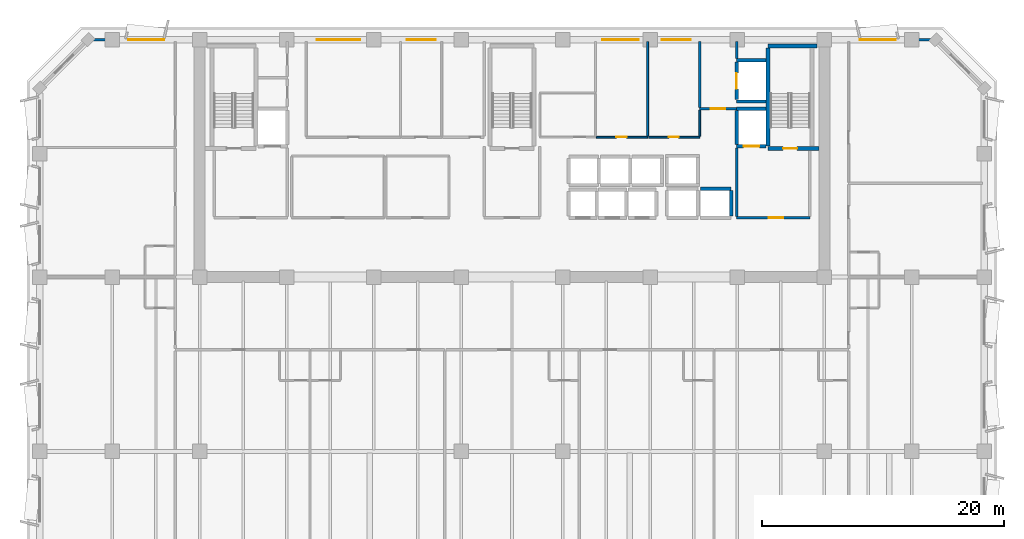
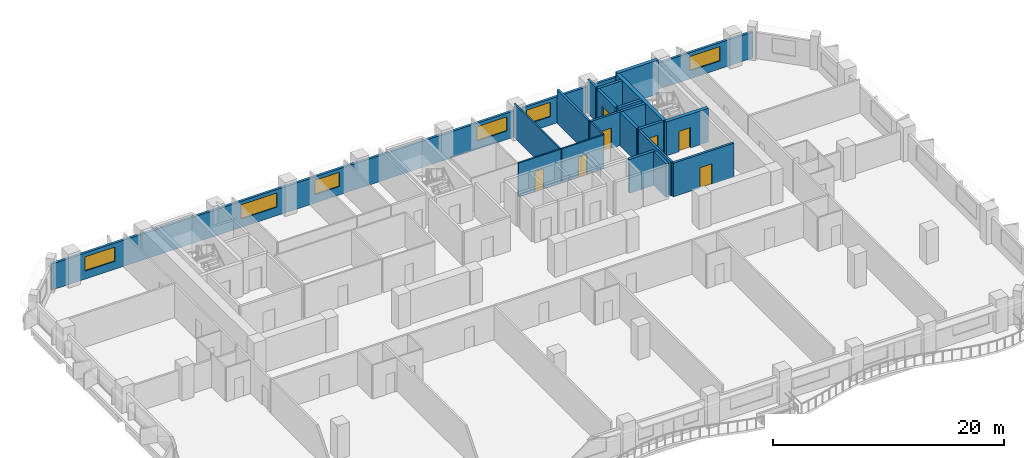
# One storey, part 7 of 14: 21 walls, 7 doors, 6 windows, 13 openings.
"""IFC4 building model written with IfcOpenShell, lengths in metres."""

from ifc_helpers import new_model, si_unit, direction, frame, frame_2d, origin, place, context, subcontext, project, spatial, rectangle, extrude, material, layer, layer_set, type_object, element, fill, save


model = new_model("IFC4")

# Units and contexts
model_context = context("Model", 3, precision=1e-05, world=origin(), true_north=direction((0.0, 1.0)))
body_context = subcontext(model_context, "Body", "Model", "MODEL_VIEW")
ifc_project = project(units=[si_unit("LENGTHUNIT", "METRE"), si_unit("AREAUNIT", "SQUARE_METRE"), si_unit("VOLUMEUNIT", "CUBIC_METRE"), si_unit("PLANEANGLEUNIT", "RADIAN"), si_unit("MASSUNIT", "GRAM", prefix="KILO")], contexts=[model_context])

# Site, building, storey
site_placement = place(None, origin())
site = spatial("IfcSite", under=ifc_project, at=site_placement, CompositionType="ELEMENT")
building_placement = place(site_placement, origin())
building = spatial("IfcBuilding", under=site, at=building_placement, Name="Kaelvorn Grand Hotel", CompositionType="ELEMENT")
storey_placement = place(building_placement, frame((0.0, 0.0, 201.550048828125)))
storey = spatial("IfcBuildingStorey", under=building, at=storey_placement, Name="L49", CompositionType="ELEMENT", Elevation=201.550048828125)

# Wall, openings, windows
ifc_material_1 = material(Name="Concrete C40/50", Category="concrete")
ifc_layer_1 = layer(ifc_material_1, 0.239990234375)
ifc_layer_set_1 = layer_set([ifc_layer_1], Name="Concrete C40/50")
wall_type_1 = type_object("IfcWallType", Name="WL-EXT-240-C40", PredefinedType="SOLIDWALL", material=ifc_layer_set_1)
wall_1_placement = place(storey_placement, frame((77.0, 49.0, 0.0), z_axis=(0.0, 0.0, 1.0), x_axis=(-1.0, 0.0, 0.0)))
wall_1 = element("IfcWall", 1, at=wall_1_placement, inside=storey, type_object=wall_type_1, Name="L49 Exterior Architectural Concrete Wall 05", PredefinedType="SOLIDWALL", context=body_context, shape_type="SweptSolid", body=[
    extrude(rectangle(XDim=70.0, YDim=0.239990234375, at=frame_2d((35.0, 0.0))), origin(), (0.0, 0.0, 1.0), 2.760009765625),
])
opening_1_placement = place(wall_1_placement, frame((63.699951171875, 0.0, 0.85009765625)))
opening_1 = element("IfcOpeningElement", 2, at=opening_1_placement, cuts=wall_1, Name="Opening W5", PredefinedType="OPENING", context=body_context, shape_type="SweptSolid", body=[
    extrude(rectangle(XDim=3.0, YDim=1.5, at=frame_2d((1.5, 0.75))), frame((0.0, 0.1298828125, 0.0), z_axis=(0.0, -1.0, 0.0), x_axis=(1.0, 0.0, 0.0)), (0.0, 0.0, 1.0), 0.260009765625),
])
opening_2_placement = place(wall_1_placement, frame((3.300048828125, 0.0, 0.85009765625)))
opening_2 = element("IfcOpeningElement", 3, at=opening_2_placement, cuts=wall_1, Name="Opening W5", PredefinedType="OPENING", context=body_context, shape_type="SweptSolid", body=[
    extrude(rectangle(XDim=3.0, YDim=1.5, at=frame_2d((1.5, 0.75))), frame((0.0, 0.1298828125, 0.0), z_axis=(0.0, -1.0, 0.0), x_axis=(1.0, 0.0, 0.0)), (0.0, 0.0, 1.0), 0.260009765625),
])
opening_3_placement = place(wall_1_placement, frame((47.514892578125, 0.0, 0.89990234375)))
opening_3 = element("IfcOpeningElement", 4, at=opening_3_placement, cuts=wall_1, Name="Opening W3", PredefinedType="OPENING", context=body_context, shape_type="SweptSolid", body=[
    extrude(rectangle(XDim=3.60009765625, YDim=1.5, at=frame_2d((1.800048828125, 0.75))), frame((0.0, 0.1298828125, 0.0), z_axis=(0.0, -1.0, 0.0), x_axis=(1.0, 0.0, 0.0)), (0.0, 0.0, 1.0), 0.260009765625),
])
opening_4_placement = place(wall_1_placement, frame((41.300048828125, 0.0, 0.89990234375)))
opening_4 = element("IfcOpeningElement", 5, at=opening_4_placement, cuts=wall_1, Name="Opening W6", PredefinedType="OPENING", context=body_context, shape_type="SweptSolid", body=[
    extrude(rectangle(XDim=2.39990234375, YDim=1.5, at=frame_2d((1.199951171875, 0.75))), frame((0.0, 0.1298828125, 0.0), z_axis=(0.0, -1.0, 0.0), x_axis=(1.0, 0.0, 0.0)), (0.0, 0.0, 1.0), 0.260009765625),
])
opening_5_placement = place(wall_1_placement, frame((24.550048828125, 0.0, 0.89990234375)))
opening_5 = element("IfcOpeningElement", 6, at=opening_5_placement, cuts=wall_1, Name="Opening W5", PredefinedType="OPENING", context=body_context, shape_type="SweptSolid", body=[
    extrude(rectangle(XDim=3.0, YDim=1.5, at=frame_2d((1.5, 0.75))), frame((0.0, 0.1298828125, 0.0), z_axis=(0.0, -1.0, 0.0), x_axis=(1.0, 0.0, 0.0)), (0.0, 0.0, 1.0), 0.260009765625),
])
opening_6_placement = place(wall_1_placement, frame((20.235107421875, 0.0, 0.89990234375)))
opening_6 = element("IfcOpeningElement", 7, at=opening_6_placement, cuts=wall_1, Name="Opening W6", PredefinedType="OPENING", context=body_context, shape_type="SweptSolid", body=[
    extrude(rectangle(XDim=2.39990234375, YDim=1.5, at=frame_2d((1.199951171875, 0.75))), frame((0.0, 0.1298828125, 0.0), z_axis=(0.0, -1.0, 0.0), x_axis=(1.0, 0.0, 0.0)), (0.0, 0.0, 1.0), 0.260009765625),
])
ifc_material_2 = material(Name="Laminated Low-E Glass", Category="glass")
window_type_1 = type_object("IfcWindowType", Name="WIN-NTH-2400x1500", PartitioningType="SINGLE_PANEL", PredefinedType="WINDOW", material=ifc_material_2)
window_1_placement = place(opening_4_placement, origin())
window_1 = element("IfcWindow", 8, at=window_1_placement, inside=storey, type_object=window_type_1, Name="L49 North Core Clerestory Ribbon Window NC04", OverallHeight=1.5, OverallWidth=2.39990234375, PartitioningType="SINGLE_PANEL", PredefinedType="WINDOW", context=body_context, shape_type="SweptSolid", body=[
    extrude(rectangle(XDim=2.39990234375, YDim=1.5, at=frame_2d((1.199951171875, 0.75))), frame((0.0, 0.030029296875, 0.0), z_axis=(0.0, -1.0, 0.0), x_axis=(1.0, 0.0, 0.0)), (0.0, 0.0, 1.0), 0.06005859375),
])
fill(opening_4, window_1)
window_2_placement = place(opening_6_placement, origin())
window_2 = element("IfcWindow", 9, at=window_2_placement, inside=storey, type_object=window_type_1, Name="L49 North Core Clerestory Ribbon Window NC06", OverallHeight=1.5, OverallWidth=2.39990234375, PartitioningType="SINGLE_PANEL", PredefinedType="WINDOW", context=body_context, shape_type="SweptSolid", body=[
    extrude(rectangle(XDim=2.39990234375, YDim=1.5, at=frame_2d((1.199951171875, 0.75))), frame((0.0, 0.030029296875, 0.0), z_axis=(0.0, -1.0, 0.0), x_axis=(1.0, 0.0, 0.0)), (0.0, 0.0, 1.0), 0.06005859375),
])
fill(opening_6, window_2)
window_type_2 = type_object("IfcWindowType", Name="WIN-NTH-3000x1500", PartitioningType="SINGLE_PANEL", PredefinedType="WINDOW", material=ifc_material_2)
window_3_placement = place(opening_1_placement, origin())
window_3 = element("IfcWindow", 10, at=window_3_placement, inside=storey, type_object=window_type_2, Name="L49 North Wing Ribbon Window NW01", OverallHeight=1.5, OverallWidth=3.0, PartitioningType="SINGLE_PANEL", PredefinedType="WINDOW", context=body_context, shape_type="SweptSolid", body=[
    extrude(rectangle(XDim=3.0, YDim=1.5, at=frame_2d((1.5, 0.75))), frame((0.0, 0.030029296875, 0.0), z_axis=(0.0, -1.0, 0.0), x_axis=(1.0, 0.0, 0.0)), (0.0, 0.0, 1.0), 0.06005859375),
])
fill(opening_1, window_3)
window_4_placement = place(opening_2_placement, origin())
window_4 = element("IfcWindow", 11, at=window_4_placement, inside=storey, type_object=window_type_2, Name="L49 North Wing Ribbon Window NW02", OverallHeight=1.5, OverallWidth=3.0, PartitioningType="SINGLE_PANEL", PredefinedType="WINDOW", context=body_context, shape_type="SweptSolid", body=[
    extrude(rectangle(XDim=3.0, YDim=1.5, at=frame_2d((1.5, 0.75))), frame((0.0, 0.030029296875, 0.0), z_axis=(0.0, -1.0, 0.0), x_axis=(1.0, 0.0, 0.0)), (0.0, 0.0, 1.0), 0.06005859375),
])
fill(opening_2, window_4)
window_5_placement = place(opening_5_placement, origin())
window_5 = element("IfcWindow", 12, at=window_5_placement, inside=storey, type_object=window_type_2, Name="L49 North Core Clerestory Ribbon Window NC05", OverallHeight=1.5, OverallWidth=3.0, PartitioningType="SINGLE_PANEL", PredefinedType="WINDOW", context=body_context, shape_type="SweptSolid", body=[
    extrude(rectangle(XDim=3.0, YDim=1.5, at=frame_2d((1.5, 0.75))), frame((0.0, 0.030029296875, 0.0), z_axis=(0.0, -1.0, 0.0), x_axis=(1.0, 0.0, 0.0)), (0.0, 0.0, 1.0), 0.06005859375),
])
fill(opening_5, window_5)
window_type_3 = type_object("IfcWindowType", Name="WIN-RIB-3600x1750", PartitioningType="SINGLE_PANEL", PredefinedType="WINDOW", material=ifc_material_2)
window_6_placement = place(opening_3_placement, origin())
window_6 = element("IfcWindow", 13, at=window_6_placement, inside=storey, type_object=window_type_3, Name="L49 North Core Clerestory Ribbon Window NC03", OverallHeight=1.5, OverallWidth=3.60009765625, PartitioningType="SINGLE_PANEL", PredefinedType="WINDOW", context=body_context, shape_type="SweptSolid", body=[
    extrude(rectangle(XDim=3.60009765625, YDim=1.5, at=frame_2d((1.800048828125, 0.75))), frame((0.0, 0.030029296875, 0.0), z_axis=(0.0, -1.0, 0.0), x_axis=(1.0, 0.0, 0.0)), (0.0, 0.0, 1.0), 0.06005859375),
])
fill(opening_3, window_6)

# Wall, opening, door
ifc_material_3 = material(Name="Acoustic Gypsum & Stud Partition")
ifc_layer_2 = layer(ifc_material_3, 0.14990234375)
ifc_layer_set_2 = layer_set([ifc_layer_2], Name="Acoustic Gypsum & Stud Partition")
wall_type_2 = type_object("IfcWallType", Name="WL-PART-150-EI60", PredefinedType="PARTITIONING", material=ifc_layer_set_2)
wall_2_placement = place(storey_placement, frame((48.967529296875, 40.949951171875, 0.0), z_axis=(0.0, 0.0, 1.0), x_axis=(1.0, 0.0, 0.0)))
wall_2 = element("IfcWall", 14, at=wall_2_placement, inside=storey, type_object=wall_type_2, Name="L49 Minibar & Glassware Store S Partition", PredefinedType="PARTITIONING", context=body_context, shape_type="SweptSolid", body=[
    extrude(rectangle(XDim=4.232421875, YDim=0.14990234375, at=frame_2d((2.1162109375, 0.0))), origin(), (0.0, 0.0, 1.0), 3.56005859375),
])
opening_7_placement = place(wall_2_placement, frame((1.657470703125, 0.0, 0.0)))
opening_7 = element("IfcOpeningElement", 15, at=opening_7_placement, cuts=wall_2, Name="Opening DI7", PredefinedType="OPENING", context=body_context, shape_type="SweptSolid", body=[
    extrude(rectangle(XDim=0.85009765625, YDim=2.10009765625, at=frame_2d((0.425048828125, 1.050048828125))), frame((0.0, 0.0849609375, 0.0), z_axis=(0.0, -1.0, 0.0), x_axis=(1.0, 0.0, 0.0)), (0.0, 0.0, 1.0), 0.169921875),
])
ifc_material_4 = material(Name="Powder-Coated Steel Leaf", Category="steel")
door_type_1 = type_object("IfcDoorType", Name="DR-INT-RISER-850x2100", OperationType="NOTDEFINED", PredefinedType="DOOR", material=ifc_material_4)
door_1_placement = place(opening_7_placement, origin())
door_1 = element("IfcDoor", 16, at=door_1_placement, inside=storey, type_object=door_type_1, Name="L49 Minibar & Glassware Store Door", OperationType="SINGLE_SWING_RIGHT", OverallHeight=2.10009765625, OverallWidth=0.85009765625, PredefinedType="DOOR", context=body_context, shape_type="SweptSolid", body=[
    extrude(rectangle(XDim=0.85009765625, YDim=2.10009765625, at=frame_2d((0.425048828125, 1.050048828125))), frame((0.0, 0.02490234375, 0.0), z_axis=(0.0, -1.0, 0.0), x_axis=(1.0, 0.0, 0.0)), (0.0, 0.0, 1.0), 0.050048828125),
])
fill(opening_7, door_1)

# Wall
wall_3_placement = place(storey_placement, frame((53.199951171875, 41.030029296875, 0.0), z_axis=(0.0, 0.0, 1.0), x_axis=(0.0, 1.0, 0.0)))
element("IfcWall", 17, at=wall_3_placement, inside=storey, type_object=wall_type_2, Name="L49 Minibar & Glassware Store E Partition", PredefinedType="PARTITIONING", context=body_context, shape_type="SweptSolid", body=[
    extrude(rectangle(XDim=7.820068359375, YDim=0.14990234375, at=frame_2d((3.91015625, 0.0))), origin(), (0.0, 0.0, 1.0), 3.56005859375),
])

# Wall, opening, door
wall_4_placement = place(storey_placement, frame((53.280029296875, 40.949951171875, 0.0), z_axis=(0.0, 0.0, 1.0), x_axis=(1.0, 0.0, 0.0)))
wall_4 = element("IfcWall", 18, at=wall_4_placement, inside=storey, type_object=wall_type_2, Name="L49 Floor IT & Comms Room S Partition", PredefinedType="PARTITIONING", context=body_context, shape_type="SweptSolid", body=[
    extrude(rectangle(XDim=4.219970703125, YDim=0.14990234375, at=frame_2d((2.10986328125, 0.0))), origin(), (0.0, 0.0, 1.0), 3.56005859375),
])
opening_8_placement = place(wall_4_placement, frame((1.64501953125, 0.0, 0.0)))
opening_8 = element("IfcOpeningElement", 19, at=opening_8_placement, cuts=wall_4, Name="Opening DI7", PredefinedType="OPENING", context=body_context, shape_type="SweptSolid", body=[
    extrude(rectangle(XDim=0.85009765625, YDim=2.10009765625, at=frame_2d((0.425048828125, 1.050048828125))), frame((0.0, 0.0849609375, 0.0), z_axis=(0.0, -1.0, 0.0), x_axis=(1.0, 0.0, 0.0)), (0.0, 0.0, 1.0), 0.169921875),
])
door_2_placement = place(opening_8_placement, origin())
door_2 = element("IfcDoor", 20, at=door_2_placement, inside=storey, type_object=door_type_1, Name="L49 Floor IT & Comms Room Door", OperationType="SINGLE_SWING_LEFT", OverallHeight=2.10009765625, OverallWidth=0.85009765625, PredefinedType="DOOR", context=body_context, shape_type="SweptSolid", body=[
    extrude(rectangle(XDim=0.85009765625, YDim=2.10009765625, at=frame_2d((0.425048828125, 1.050048828125))), frame((0.0, 0.02490234375, 0.0), z_axis=(0.0, -1.0, 0.0), x_axis=(1.0, 0.0, 0.0)), (0.0, 0.0, 1.0), 0.050048828125),
])
fill(opening_8, door_2)

# Wall
wall_5_placement = place(storey_placement, frame((57.5, 41.030029296875, 0.0), z_axis=(0.0, 0.0, 1.0), x_axis=(0.0, 1.0, 0.0)))
element("IfcWall", 21, at=wall_5_placement, inside=storey, type_object=wall_type_2, Name="L49 Floor IT & Comms Room E Partition", PredefinedType="PARTITIONING", context=body_context, shape_type="SweptSolid", body=[
    extrude(rectangle(XDim=2.155029296875, YDim=0.14990234375, at=frame_2d((1.07763671875, 0.0))), origin(), (0.0, 0.0, 1.0), 3.56005859375),
])

# Wall, opening, door
ifc_layer_3 = layer(ifc_material_1, 0.219970703125)
ifc_layer_set_3 = layer_set([ifc_layer_3], Name="Concrete C40/50")
wall_type_3 = type_object("IfcWallType", Name="WL-PART-220-EI120", PredefinedType="PARTITIONING", material=ifc_layer_set_3)
wall_6_placement = place(storey_placement, frame((60.550048828125, 34.300048828125, 0.0), z_axis=(0.0, 0.0, 1.0), x_axis=(1.0, 0.0, 0.0)))
wall_6 = element("IfcWall", 22, at=wall_6_placement, inside=storey, type_object=wall_type_3, Name="L49 Firefighting Lift Lobby 2 S Partition", PredefinedType="PARTITIONING", context=body_context, shape_type="SweptSolid", body=[
    extrude(rectangle(XDim=6.050048828125, YDim=0.219970703125, at=frame_2d((3.02490234375, 0.0))), origin(), (0.0, 0.0, 1.0), 3.56005859375),
])
opening_9_placement = place(wall_6_placement, frame((2.64990234375, 0.0, 0.0)))
opening_9 = element("IfcOpeningElement", 23, at=opening_9_placement, cuts=wall_6, Name="Opening DI2", PredefinedType="OPENING", context=body_context, shape_type="SweptSolid", body=[
    extrude(rectangle(XDim=1.199951171875, YDim=2.14990234375, at=frame_2d((0.60009765625, 1.074951171875))), frame((0.0, 0.1201171875, 0.0), z_axis=(0.0, -1.0, 0.0), x_axis=(1.0, 0.0, 0.0)), (0.0, 0.0, 1.0), 0.239990234375),
])
ifc_material_5 = material(Name="Timber Veneer Fire Leaf", Category="wood")
door_type_2 = type_object("IfcDoorType", Name="DR-INT-FFLOB-1200x2150", OperationType="NOTDEFINED", PredefinedType="DOOR", material=ifc_material_5)
door_3_placement = place(opening_9_placement, origin())
door_3 = element("IfcDoor", 24, at=door_3_placement, inside=storey, type_object=door_type_2, Name="L49 Firefighting Lift Lobby 2 Door", OperationType="SINGLE_SWING_LEFT", OverallHeight=2.14990234375, OverallWidth=1.199951171875, PredefinedType="DOOR", context=body_context, shape_type="SweptSolid", body=[
    extrude(rectangle(XDim=1.199951171875, YDim=2.14990234375, at=frame_2d((0.60009765625, 1.074951171875))), frame((0.0, 0.02490234375, 0.0), z_axis=(0.0, -1.0, 0.0), x_axis=(1.0, 0.0, 0.0)), (0.0, 0.0, 1.0), 0.050048828125),
])
fill(opening_9, door_3)

# Wall
wall_7_placement = place(storey_placement, frame((60.550048828125, 34.4150390625, 0.0), z_axis=(0.0, 0.0, 1.0), x_axis=(0.0, 1.0, 0.0)))
element("IfcWall", 25, at=wall_7_placement, inside=storey, type_object=wall_type_3, Name="L49 Firefighting Lift Lobby 2 W Partition", PredefinedType="PARTITIONING", context=body_context, shape_type="SweptSolid", body=[
    extrude(rectangle(XDim=5.639892578125, YDim=0.219970703125, at=frame_2d((2.81982421875, 0.0))), origin(), (0.0, 0.0, 1.0), 3.56005859375),
])

# Wall, opening, door
wall_8_placement = place(storey_placement, frame((57.5, 43.300048828125, 0.0), z_axis=(0.0, 0.0, 1.0), x_axis=(1.0, 0.0, 0.0)))
wall_8 = element("IfcWall", 26, at=wall_8_placement, inside=storey, type_object=wall_type_3, Name="L49 Service Lift Lobby S Partition", PredefinedType="PARTITIONING", context=body_context, shape_type="SweptSolid", body=[
    extrude(rectangle(XDim=3.0400390625, YDim=0.219970703125, at=frame_2d((1.52001953125, 0.0))), origin(), (0.0, 0.0, 1.0), 3.56005859375),
])
opening_10_placement = place(wall_8_placement, frame((0.89990234375, 0.0, 0.0)))
opening_10 = element("IfcOpeningElement", 27, at=opening_10_placement, cuts=wall_8, Name="Opening DI2", PredefinedType="OPENING", context=body_context, shape_type="SweptSolid", body=[
    extrude(rectangle(XDim=1.199951171875, YDim=2.14990234375, at=frame_2d((0.60009765625, 1.074951171875))), frame((0.0, 0.1201171875, 0.0), z_axis=(0.0, -1.0, 0.0), x_axis=(1.0, 0.0, 0.0)), (0.0, 0.0, 1.0), 0.239990234375),
])
door_4_placement = place(opening_10_placement, origin())
door_4 = element("IfcDoor", 28, at=door_4_placement, inside=storey, type_object=door_type_2, Name="L49 Service Lift Lobby Door", OperationType="SINGLE_SWING_LEFT", OverallHeight=2.14990234375, OverallWidth=1.199951171875, PredefinedType="DOOR", context=body_context, shape_type="SweptSolid", body=[
    extrude(rectangle(XDim=1.199951171875, YDim=2.14990234375, at=frame_2d((0.60009765625, 1.074951171875))), frame((0.0, 0.02490234375, 0.0), z_axis=(0.0, -1.0, 0.0), x_axis=(1.0, 0.0, 0.0)), (0.0, 0.0, 1.0), 0.050048828125),
])
fill(opening_10, door_4)

# Walls
wall_9_placement = place(storey_placement, frame((57.5, 43.4150390625, 0.0), z_axis=(0.0, 0.0, 1.0), x_axis=(0.0, 1.0, 0.0)))
element("IfcWall", 29, at=wall_9_placement, inside=storey, type_object=wall_type_3, Name="L49 Service Lift Lobby W Partition", PredefinedType="PARTITIONING", context=body_context, shape_type="SweptSolid", body=[
    extrude(rectangle(XDim=5.43505859375, YDim=0.219970703125, at=frame_2d((2.717529296875, 0.0))), origin(), (0.0, 0.0, 1.0), 3.56005859375),
])
wall_10_placement = place(storey_placement, frame((60.550048828125, 47.445068359375, 0.0), z_axis=(0.0, 0.0, 1.0), x_axis=(0.0, 1.0, 0.0)))
element("IfcWall", 30, at=wall_10_placement, inside=storey, type_object=wall_type_3, Name="L49 Service Lift Lobby E Partition", PredefinedType="PARTITIONING", context=body_context, shape_type="SweptSolid", body=[
    extrude(rectangle(XDim=1.405029296875, YDim=0.219970703125, at=frame_2d((0.70263671875, 0.0))), origin(), (0.0, 0.0, 1.0), 3.56005859375),
])
ifc_material_6 = material(Name="Concrete C50/60", Category="concrete")
ifc_layer_4 = layer(ifc_material_6, 0.280029296875)
ifc_layer_set_4 = layer_set([ifc_layer_4], Name="Concrete C50/60")
wall_type_4 = type_object("IfcWallType", Name="WL-SHAFT-280-C50", PredefinedType="SHEAR", material=ifc_layer_set_4)
wall_11_placement = place(storey_placement, frame((57.550048828125, 36.699951171875, 0.0), z_axis=(0.0, 0.0, 1.0), x_axis=(1.0, 0.0, 0.0)))
element("IfcWall", 31, at=wall_11_placement, inside=storey, type_object=wall_type_4, Name="L49 Lift OL-2 Shaft North Wall", PredefinedType="SHEAR", context=body_context, shape_type="SweptSolid", body=[
    extrude(rectangle(XDim=2.550048828125, YDim=0.280029296875, at=frame_2d((1.27490234375, 0.0))), origin(), (0.0, 0.0, 1.0), 3.56005859375),
])
wall_12_placement = place(storey_placement, frame((60.10009765625, 34.445068359375, 0.0), z_axis=(0.0, 0.0, 1.0), x_axis=(0.0, 1.0, 0.0)))
element("IfcWall", 32, at=wall_12_placement, inside=storey, type_object=wall_type_4, Name="L49 Lift OL-2 Shaft East Wall", PredefinedType="SHEAR", context=body_context, shape_type="SweptSolid", body=[
    extrude(rectangle(XDim=2.10986328125, YDim=0.280029296875, at=frame_2d((1.054931640625, 0.0))), origin(), (0.0, 0.0, 1.0), 3.56005859375),
])

# Wall, opening, door
wall_13_placement = place(storey_placement, frame((60.550048828125, 40.199951171875, 0.0), z_axis=(0.0, 0.0, 1.0), x_axis=(1.0, 0.0, 0.0)))
wall_13 = element("IfcWall", 33, at=wall_13_placement, inside=storey, type_object=wall_type_4, Name="L49 Lift FFL2 Shaft South Wall", PredefinedType="SHEAR", context=body_context, shape_type="SweptSolid", body=[
    extrude(rectangle(XDim=2.4150390625, YDim=0.280029296875, at=frame_2d((1.20751953125, 0.0))), origin(), (0.0, 0.0, 1.0), 3.56005859375),
])
opening_11_placement = place(wall_13_placement, frame((0.574951171875, 0.0, 0.0)))
opening_11 = element("IfcOpeningElement", 34, at=opening_11_placement, cuts=wall_13, Name="Opening LD-FFL2", PredefinedType="OPENING", context=body_context, shape_type="SweptSolid", body=[
    extrude(rectangle(XDim=1.300048828125, YDim=2.300048828125, at=frame_2d((0.64990234375, 1.14990234375))), frame((0.0, 0.14990234375, 0.0), z_axis=(0.0, -1.0, 0.0), x_axis=(1.0, 0.0, 0.0)), (0.0, 0.0, 1.0), 0.300048828125),
])
ifc_material_7 = material(Name="Stainless Steel", Category="steel")
door_type_3 = type_object("IfcDoorType", Name="DR-LIFT-SERV-1300x2300", OperationType="DOUBLE_DOOR_SLIDING", PredefinedType="DOOR", material=ifc_material_7)
door_5_placement = place(opening_11_placement, origin())
door_5 = element("IfcDoor", 35, at=door_5_placement, inside=storey, type_object=door_type_3, Name="L49 Lift FFL2 Sliding Landing Door LD-FFL2", OperationType="DOUBLE_DOOR_SLIDING", OverallHeight=2.300048828125, OverallWidth=1.300048828125, PredefinedType="DOOR", context=body_context, shape_type="SweptSolid", body=[
    extrude(rectangle(XDim=1.300048828125, YDim=2.300048828125, at=frame_2d((0.64990234375, 1.14990234375))), frame((0.0, 0.02490234375, 0.0), z_axis=(0.0, -1.0, 0.0), x_axis=(1.0, 0.0, 0.0)), (0.0, 0.0, 1.0), 0.050048828125),
])
fill(opening_11, door_5)

# Walls
wall_14_placement = place(storey_placement, frame((60.550048828125, 43.300048828125, 0.0), z_axis=(0.0, 0.0, 1.0), x_axis=(1.0, 0.0, 0.0)))
element("IfcWall", 36, at=wall_14_placement, inside=storey, type_object=wall_type_4, Name="L49 Lift FFL2 Shaft North Wall", PredefinedType="SHEAR", context=body_context, shape_type="SweptSolid", body=[
    extrude(rectangle(XDim=2.4150390625, YDim=0.280029296875, at=frame_2d((1.20751953125, 0.0))), origin(), (0.0, 0.0, 1.0), 3.56005859375),
])
wall_15_placement = place(storey_placement, frame((60.550048828125, 40.344970703125, 0.0), z_axis=(0.0, 0.0, 1.0), x_axis=(0.0, 1.0, 0.0)))
element("IfcWall", 37, at=wall_15_placement, inside=storey, type_object=wall_type_4, Name="L49 Lift FFL2 Shaft West Wall", PredefinedType="SHEAR", context=body_context, shape_type="SweptSolid", body=[
    extrude(rectangle(XDim=2.81005859375, YDim=0.280029296875, at=frame_2d((1.405029296875, 0.0))), origin(), (0.0, 0.0, 1.0), 3.56005859375),
])
for number, where, z_axis, x_axis, name in (
    (38, (60.550048828125, 43.89990234375, 0.0), (0.0, 0.0, 1.0), (1.0, 0.0, 0.0), "L49 Lift SV1 Shaft South Wall"),
    (39, (60.550048828125, 47.300048828125, 0.0), (0.0, 0.0, 1.0), (1.0, 0.0, 0.0), "L49 Lift SV1 Shaft North Wall"),
):
    element("IfcWall", number, at=place(storey_placement, frame(where, z_axis=z_axis, x_axis=x_axis)), inside=storey, type_object=wall_type_4, Name=name, PredefinedType="SHEAR", context=body_context, shape_type="SweptSolid", body=[
        extrude(rectangle(XDim=2.4150390625, YDim=0.280029296875, at=frame_2d((1.20751953125, 0.0))), origin(), (0.0, 0.0, 1.0), 3.56005859375),
    ])

# Wall, opening, door
wall_16_placement = place(storey_placement, frame((60.550048828125, 44.044921875, 0.0), z_axis=(0.0, 0.0, 1.0), x_axis=(0.0, 1.0, 0.0)))
wall_16 = element("IfcWall", 40, at=wall_16_placement, inside=storey, type_object=wall_type_4, Name="L49 Lift SV1 Shaft West Wall", PredefinedType="SHEAR", context=body_context, shape_type="SweptSolid", body=[
    extrude(rectangle(XDim=3.110107421875, YDim=0.280029296875, at=frame_2d((1.55517578125, 0.0))), origin(), (0.0, 0.0, 1.0), 3.56005859375),
])
opening_12_placement = place(wall_16_placement, frame((0.905029296875, 0.0, 0.0)))
opening_12 = element("IfcOpeningElement", 41, at=opening_12_placement, cuts=wall_16, Name="Opening LD-SV1", PredefinedType="OPENING", context=body_context, shape_type="SweptSolid", body=[
    extrude(rectangle(XDim=1.300048828125, YDim=2.300048828125, at=frame_2d((0.64990234375, 1.14990234375))), frame((0.0, 0.14990234375, 0.0), z_axis=(0.0, -1.0, 0.0), x_axis=(1.0, 0.0, 0.0)), (0.0, 0.0, 1.0), 0.300048828125),
])
door_6_placement = place(opening_12_placement, origin())
door_6 = element("IfcDoor", 42, at=door_6_placement, inside=storey, type_object=door_type_3, Name="L49 Lift SV1 Sliding Landing Door LD-SV1", OperationType="DOUBLE_DOOR_SLIDING", OverallHeight=2.300048828125, OverallWidth=1.300048828125, PredefinedType="DOOR", context=body_context, shape_type="SweptSolid", body=[
    extrude(rectangle(XDim=1.300048828125, YDim=2.300048828125, at=frame_2d((0.64990234375, 1.14990234375))), frame((0.0, 0.02490234375, 0.0), z_axis=(0.0, -1.0, 0.0), x_axis=(1.0, 0.0, 0.0)), (0.0, 0.0, 1.0), 0.050048828125),
])
fill(opening_12, door_6)

ifc_material_8 = material(Name="Concrete C60/75", Category="concrete")
ifc_layer_5 = layer(ifc_material_8, 0.35009765625)
ifc_layer_set_5 = layer_set([ifc_layer_5], Name="Concrete C60/75")
wall_type_5 = type_object("IfcWallType", Name="WL-SHAFT-350-C60", PredefinedType="SHEAR", material=ifc_layer_set_5)
wall_17_placement = place(storey_placement, frame((63.14501953125, 40.02490234375, 0.0), z_axis=(0.0, 0.0, 1.0), x_axis=(1.0, 0.0, 0.0)))
wall_17 = element("IfcWall", 43, at=wall_17_placement, inside=storey, type_object=wall_type_5, Name="L49 ST3 Stair Shaft South Wall", PredefinedType="SHEAR", context=body_context, shape_type="SweptSolid", body=[
    extrude(rectangle(XDim=4.199951171875, YDim=0.35009765625, at=frame_2d((2.10009765625, 0.0))), origin(), (0.0, 0.0, 1.0), 3.56005859375),
])
opening_13_placement = place(wall_17_placement, frame((1.239990234375, 0.0, 0.0)))
opening_13 = element("IfcOpeningElement", 44, at=opening_13_placement, cuts=wall_17, Name="Opening DI1", PredefinedType="OPENING", context=body_context, shape_type="SweptSolid", body=[
    extrude(rectangle(XDim=1.14990234375, YDim=2.14990234375, at=frame_2d((0.574951171875, 1.074951171875))), frame((0.0, 0.18505859375, 0.0), z_axis=(0.0, -1.0, 0.0), x_axis=(1.0, 0.0, 0.0)), (0.0, 0.0, 1.0), 0.3701171875),
])
door_type_4 = type_object("IfcDoorType", Name="DR-INT-STAIR-1150x2150", OperationType="NOTDEFINED", PredefinedType="DOOR", material=ifc_material_5)
door_7_placement = place(opening_13_placement, origin())
door_7 = element("IfcDoor", 45, at=door_7_placement, inside=storey, type_object=door_type_4, Name="L49 ST3 Exit Stair Fire Door", OperationType="SINGLE_SWING_LEFT", OverallHeight=2.14990234375, OverallWidth=1.14990234375, PredefinedType="DOOR", context=body_context, shape_type="SweptSolid", body=[
    extrude(rectangle(XDim=1.14990234375, YDim=2.14990234375, at=frame_2d((0.574951171875, 1.074951171875))), frame((0.0, 0.02490234375, 0.0), z_axis=(0.0, -1.0, 0.0), x_axis=(1.0, 0.0, 0.0)), (0.0, 0.0, 1.0), 0.050048828125),
])
fill(opening_13, door_7)

# Walls
wall_18_placement = place(storey_placement, frame((63.14501953125, 48.47509765625, 0.0), z_axis=(0.0, 0.0, 1.0), x_axis=(1.0, 0.0, 0.0)))
element("IfcWall", 46, at=wall_18_placement, inside=storey, type_object=wall_type_5, Name="L49 ST3 Stair Shaft North Wall", PredefinedType="SHEAR", context=body_context, shape_type="SweptSolid", body=[
    extrude(rectangle(XDim=4.050048828125, YDim=0.35009765625, at=frame_2d((2.02490234375, 0.0))), origin(), (0.0, 0.0, 1.0), 3.56005859375),
])
wall_19_placement = place(storey_placement, frame((63.14501953125, 40.205078125, 0.0), z_axis=(0.0, 0.0, 1.0), x_axis=(0.0, 1.0, 0.0)))
element("IfcWall", 47, at=wall_19_placement, inside=storey, type_object=wall_type_5, Name="L49 ST3 Stair Shaft West Wall", PredefinedType="SHEAR", context=body_context, shape_type="SweptSolid", body=[
    extrude(rectangle(XDim=8.08984375, YDim=0.35009765625, at=frame_2d((4.044921875, 0.0))), origin(), (0.0, 0.0, 1.0), 3.56005859375),
])

save(model, "model.ifc")
